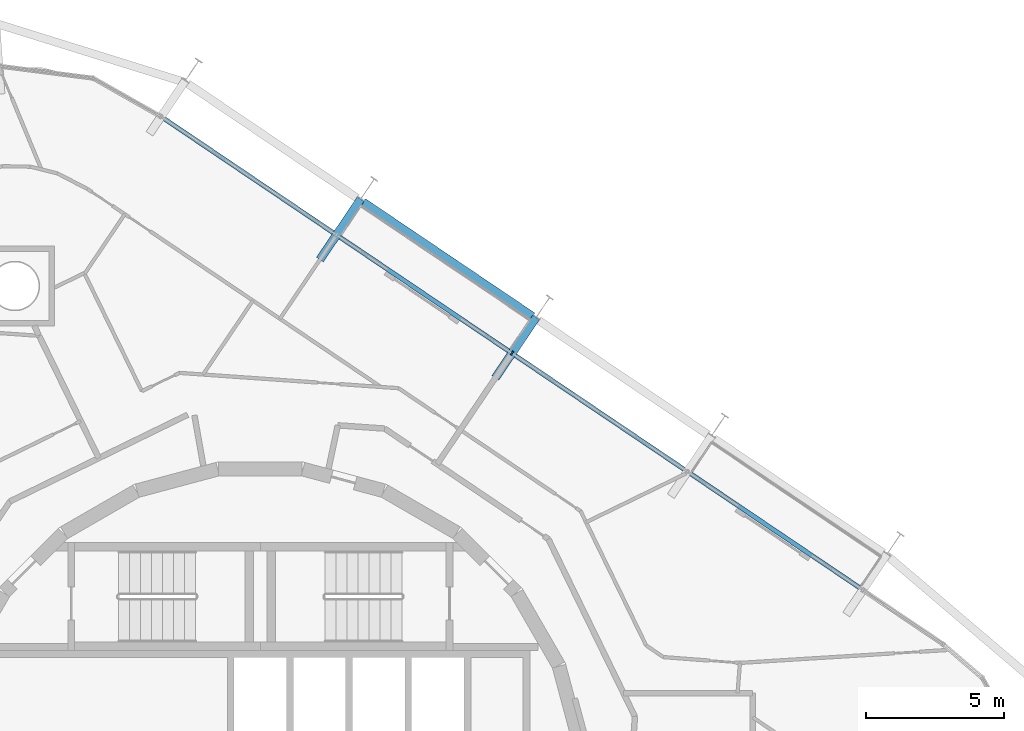
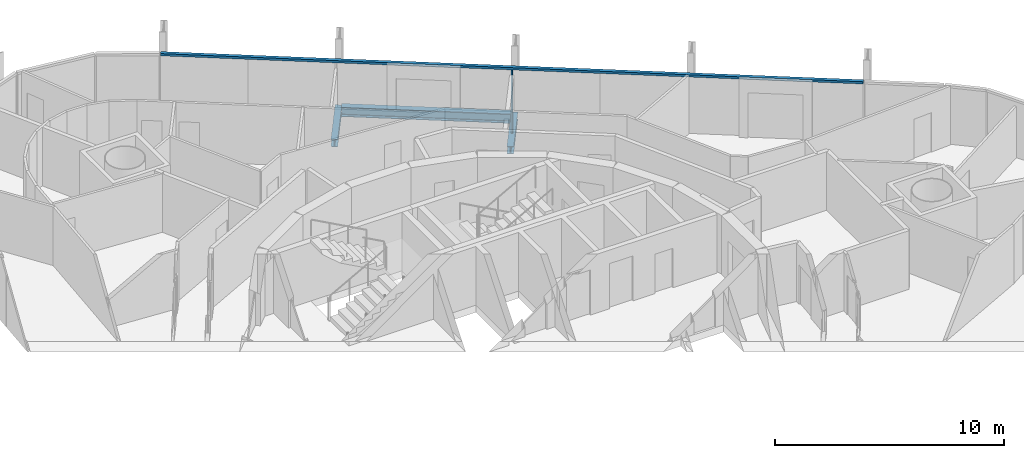
# One storey, part 7 of 18: 3 beams, 2 members, 1 element without a shape of its own.
"""IFC4 building model written with IfcOpenShell, lengths in metres."""

import ifcopenshell
import ifcopenshell.guid

model = None  # the IFC model being written
_history = None  # IfcOwnerHistory: only IFC2X3 demands one
_inside = {}  # id of a spatial element -> (the spatial element, [elements in it])
_under = {}  # id of a project, library or spatial element -> (it, [spatial elements below it])
_declared = {}  # id of a project -> (the project, [libraries it declares])
_typed = {}  # id of a type object -> (the type object, [elements of that type])
_made_of = {}  # id of a material, layer set ... -> (it, [elements and type objects made of it])


def new_model(schema):
    """Start an empty IFC model of exactly this schema.

    Asked for "IFC4X3", IfcOpenShell would pick the latest addendum, in which some entities
    have other attributes; the version numbers below select the first issue.
    IFC2X3 requires an IfcOwnerHistory on every rooted entity: one is made here for all.
    """
    global model, _history
    if schema == "IFC4X3":
        model = ifcopenshell.file(schema_version=(4, 3, 0, 0))
    else:
        model = ifcopenshell.file(schema=schema)
    _inside.clear()
    _under.clear()
    _declared.clear()
    _typed.clear()
    _made_of.clear()
    _history = None
    if model.schema == "IFC2X3":
        org = make("IfcOrganization", Name="unknown")
        user = make(
            "IfcPersonAndOrganization",
            ThePerson=make("IfcPerson", FamilyName="unknown"),
            TheOrganization=org,
        )
        app = make(
            "IfcApplication",
            ApplicationDeveloper=org,
            Version="unknown",
            ApplicationFullName="unknown",
            ApplicationIdentifier="unknown",
        )
        _history = make(
            "IfcOwnerHistory",
            OwningUser=user,
            OwningApplication=app,
            ChangeAction="ADDED",
            CreationDate=0,
        )
    return model


def make(cls, **values):
    """One entity of the class cls with the attributes given. An attribute that is None is left unset."""
    return model.create_entity(
        cls, **{name: value for name, value in values.items() if value is not None}
    )


def rooted(cls, **values):
    """An entity with a GlobalId (a new one), such as an element, a storey or a relation."""
    return make(cls, GlobalId=ifcopenshell.guid.new(), OwnerHistory=_history, **values)


def si_unit(unit_type, name, prefix=None):
    """IfcSIUnit, for example si_unit("LENGTHUNIT", "METRE", prefix="MILLI")."""
    return make("IfcSIUnit", UnitType=unit_type, Prefix=prefix, Name=name)


def assignment(units):
    """IfcUnitAssignment: the units of a project."""
    return None if units is None else make("IfcUnitAssignment", Units=units)


def point(xyz):
    """IfcCartesianPoint."""
    return None if xyz is None else make("IfcCartesianPoint", Coordinates=xyz)


def direction(xyz):
    """IfcDirection."""
    return None if xyz is None else make("IfcDirection", DirectionRatios=xyz)


def frame(location, z_axis=None, x_axis=None):
    """IfcAxis2Placement3D, a coordinate frame: its origin and axes. An axis left out is left unset."""
    return make(
        "IfcAxis2Placement3D",
        Location=point(location),
        Axis=direction(z_axis),
        RefDirection=direction(x_axis),
    )


def frame_2d(location, x_axis=None):
    """IfcAxis2Placement2D, a coordinate frame in the plane: its origin and x axis."""
    return make(
        "IfcAxis2Placement2D", Location=point(location), RefDirection=direction(x_axis)
    )


def origin():
    """The frame at (0, 0, 0) with its axes left unset."""
    return frame((0.0, 0.0, 0.0))


def origin_2d():
    """The frame at (0, 0) in the plane with its x axis left unset."""
    return frame_2d((0.0, 0.0))


def place(relative_to, where):
    """IfcLocalPlacement: puts the frame where relative to a parent placement (None: the world)."""
    return make(
        "IfcLocalPlacement", PlacementRelTo=relative_to, RelativePlacement=where
    )


def context(
    kind, dimensions, precision=None, world=None, true_north=None, identifier=None
):
    """IfcGeometricRepresentationContext, for example the 3D "Model" context."""
    return make(
        "IfcGeometricRepresentationContext",
        ContextIdentifier=identifier,
        ContextType=kind,
        CoordinateSpaceDimension=dimensions,
        Precision=precision,
        WorldCoordinateSystem=world,
        TrueNorth=true_north,
    )


def subcontext(parent, identifier, kind, view, scale=None):
    """IfcGeometricRepresentationSubContext, for example "Body" below "Model"."""
    return make(
        "IfcGeometricRepresentationSubContext",
        ContextIdentifier=identifier,
        ContextType=kind,
        ParentContext=parent,
        TargetScale=scale,
        TargetView=view,
    )


def project(units=None, contexts=None):
    """IfcProject with its units and contexts."""
    return rooted(
        "IfcProject",
        Name="project",
        RepresentationContexts=contexts,
        UnitsInContext=assignment(units),
    )


def spatial(cls, under=None, at=None, **own):
    """A site, building, storey or space (cls), placed at a placement, below another one or the project."""
    s = rooted(cls, ObjectPlacement=at, **own)
    if under is not None:
        _under.setdefault(under.id(), (under, []))[1].append(s)
    return s


def profile(cls, at=None, kind="AREA", **sizes):
    """A parametric profile (cls). Its sizes go by their IFC names, for example OverallWidth=200.0."""
    return make(cls, ProfileType=kind, Position=at, **sizes)


def rectangle(**sizes):
    """IfcRectangleProfileDef."""
    return profile("IfcRectangleProfileDef", **sizes)


def i_section(**sizes):
    """IfcIShapeProfileDef."""
    return profile("IfcIShapeProfileDef", **sizes)


def extrude(swept, where, along, depth):
    """IfcExtrudedAreaSolid: the profile swept, set in the frame where, extruded along a direction by depth."""
    return make(
        "IfcExtrudedAreaSolid",
        SweptArea=swept,
        Position=where,
        ExtrudedDirection=direction(along),
        Depth=depth,
    )


def shape(context_of_items, identifier, shape_type, items):
    """IfcShapeRepresentation: the items that make up one representation, for example the "Body"."""
    return make(
        "IfcShapeRepresentation",
        ContextOfItems=context_of_items,
        RepresentationIdentifier=identifier,
        RepresentationType=shape_type,
        Items=items,
    )


def material(Name=None, Category=None):
    """IfcMaterial."""
    return make("IfcMaterial", Name=Name, Category=Category)


def layer(
    of_material, thickness, ventilated=None, Name=None, Category=None, Priority=None
):
    """IfcMaterialLayer: one layer of a wall or slab, of a material (None: an air gap)."""
    return make(
        "IfcMaterialLayer",
        Material=of_material,
        LayerThickness=thickness,
        IsVentilated=ventilated,
        Name=Name,
        Category=Category,
        Priority=Priority,
    )


def layer_set(layers, Name=None):
    """IfcMaterialLayerSet."""
    return make("IfcMaterialLayerSet", MaterialLayers=layers, LayerSetName=Name)


def material_profile(
    of_material, cross_section, Name=None, Category=None, Priority=None
):
    """IfcMaterialProfile: a cross section and its material."""
    return make(
        "IfcMaterialProfile",
        Name=Name,
        Material=of_material,
        Profile=cross_section,
        Priority=Priority,
        Category=Category,
    )


def profile_set(profiles, Name=None, composite=None):
    """IfcMaterialProfileSet."""
    return make(
        "IfcMaterialProfileSet",
        Name=Name,
        MaterialProfiles=profiles,
        CompositeProfile=composite,
    )


def made_of(thing, what):
    """Note that an element or type object is made of a material, layer set ...; save() writes the relation."""
    if what is not None:
        _made_of.setdefault(what.id(), (what, []))[1].append(thing)
    return thing


def type_object(cls, material=None, **own):
    """A type object (cls), such as IfcWallType, which elements share."""
    return made_of(rooted(cls, **own), material)


def element(
    cls,
    number,
    at=None,
    inside=None,
    cuts=None,
    type_object=None,
    material=None,
    context=None,
    identifier="Body",
    shape_type=None,
    held_by="IfcProductDefinitionShape",
    body=None,
    shapes=None,
    **own,
):
    """One element of the class cls, such as IfcWall. Its Tag is "e" and its number.

    at: its placement. inside: the storey or other place that contains it. cuts: it is an
    opening in that element (IfcRelVoidsElement). A single representation is given by context,
    identifier, shape_type and body (its items); several are given by shapes. held_by: the class
    of the entity that holds the representations. save() writes the other relations.
    """
    e = rooted(cls, Tag="e%d" % number, ObjectPlacement=at, **own)
    if body is not None:
        shapes = [shape(context, identifier, shape_type, body)]
    if shapes is not None:
        e.Representation = make(held_by, Representations=shapes)
    if inside is not None:
        _inside.setdefault(inside.id(), (inside, []))[1].append(e)
    if cuts is not None:
        rooted(
            "IfcRelVoidsElement", RelatingBuildingElement=cuts, RelatedOpeningElement=e
        )
    if type_object is not None:
        _typed.setdefault(type_object.id(), (type_object, []))[1].append(e)
    return made_of(e, material)


def aggregate(whole, parts):
    """IfcRelAggregates: a whole, such as a stair, and the parts it consists of."""
    return rooted("IfcRelAggregates", RelatingObject=whole, RelatedObjects=parts)


def save(model, path):
    """Write the relations noted so far, then the file.

    IfcRelAggregates (storeys below a building ...), IfcRelContainedInSpatialStructure (elements
    in a storey), IfcRelDefinesByType, IfcRelAssociatesMaterial and IfcRelDeclares: one each for
    every whole, place, type object, material and project.
    """
    for whole, parts in _under.values():
        aggregate(whole, parts)
    for where, things in _inside.values():
        rooted(
            "IfcRelContainedInSpatialStructure",
            RelatedElements=things,
            RelatingStructure=where,
        )
    for kind, things in _typed.values():
        rooted("IfcRelDefinesByType", RelatedObjects=things, RelatingType=kind)
    for what, things in _made_of.values():
        rooted("IfcRelAssociatesMaterial", RelatedObjects=things, RelatingMaterial=what)
    for by, libraries in _declared.values():
        rooted("IfcRelDeclares", RelatingContext=by, RelatedDefinitions=libraries)
    model.write(path)


model = new_model("IFC4")

# Units and contexts
model_context = context("Model", 3, precision=1e-05, world=origin(), true_north=direction((0.0, 1.0)))
body_context = subcontext(model_context, "Body", "Model", "MODEL_VIEW")
ifc_project = project(units=[si_unit("LENGTHUNIT", "METRE"), si_unit("AREAUNIT", "SQUARE_METRE"), si_unit("VOLUMEUNIT", "CUBIC_METRE"), si_unit("PLANEANGLEUNIT", "RADIAN"), si_unit("MASSUNIT", "GRAM", prefix="KILO")], contexts=[model_context])

# Site, building, storey
site_placement = place(None, origin())
site = spatial("IfcSite", under=ifc_project, at=site_placement, CompositionType="ELEMENT")
building_placement = place(site_placement, origin())
building = spatial("IfcBuilding", under=site, at=building_placement, Name="Spindle Arch Residences", CompositionType="ELEMENT")
storey_placement = place(building_placement, frame((0.0, 0.0, 198.89990234375)))
storey = spatial("IfcBuildingStorey", under=building, at=storey_placement, Name="L50", CompositionType="ELEMENT", Elevation=198.89990234375)

# Curtain wall, members
ifc_material_1 = material(Name="Aluminium bronze unitised frame with tinted glass", Category="aluminium")
ifc_layer = layer(ifc_material_1, 0.159912109375)
ifc_layer_set = layer_set([ifc_layer], Name="CW-C typical residential unitised wall")
curtain_wall_type = type_object("IfcCurtainWallType", Name="CW-C typical residential unitised wall", PredefinedType="NOTDEFINED", material=ifc_layer_set)
curtain_wall_placement = place(storey_placement, origin())
curtain_wall = element("IfcCurtainWall", 1, at=curtain_wall_placement, inside=storey, type_object=curtain_wall_type, Name="CW-C L50 run 2", PredefinedType="NOTDEFINED")
ifc_material_2 = material(Name="Aluminium bronze anodised mullion", Category="aluminium")
ifc_material_profile_1 = material_profile(ifc_material_2, rectangle(XDim=0.159912109375, YDim=0.06005859375, at=origin_2d()), Name="MU 60x160")
ifc_profile_set_1 = profile_set([ifc_material_profile_1], Name="Aluminium bronze anodised mullion")
member_type_1 = type_object("IfcMemberType", Name="Bronze mullion 60x160", PredefinedType="MULLION", material=ifc_profile_set_1)
member_1_placement = place(storey_placement, frame((9.148193359375, 15.85595703125, -0.3798828125), z_axis=(0.0, 0.0, 1.0), x_axis=(-0.559192903471, -0.829037572555, 0.0)))
member_1 = element("IfcMember", 2, at=member_1_placement, type_object=member_type_1, Name="CW-C mullion 07", PredefinedType="MULLION", context=body_context, shape_type="SweptSolid", body=[
    extrude(rectangle(XDim=0.159912109375, YDim=0.06005859375, at=origin_2d()), origin(), (0.0, 0.0, 1.0), 3.3798828125),
])
ifc_material_3 = material(Name="Aluminium bronze anodised transom", Category="aluminium")
ifc_material_profile_2 = material_profile(ifc_material_3, rectangle(XDim=0.159912109375, YDim=0.1201171875, at=origin_2d()), Name="TR 120x160")
ifc_profile_set_2 = profile_set([ifc_material_profile_2], Name="Aluminium bronze anodised transom")
member_type_2 = type_object("IfcMemberType", Name="Bronze transom 120x160", PredefinedType="USERDEFINED", material=ifc_profile_set_2)
member_2_placement = place(storey_placement, frame((21.880126953125, 7.26806640625, 3.06005859375), z_axis=(-0.829038450691, 0.559191601578, 0.0), x_axis=(-0.559191601578, -0.829038450691, 0.0)))
member_2 = element("IfcMember", 3, at=member_2_placement, type_object=member_type_2, Name="CW-C transom 00", ObjectType="TRANSOM", PredefinedType="USERDEFINED", context=body_context, shape_type="SweptSolid", body=[
    extrude(rectangle(XDim=0.159912109375, YDim=0.1201171875, at=origin_2d()), origin(), (0.0, 0.0, 1.0), 30.71484375),
])
aggregate(curtain_wall, [member_2, member_1])

# Beams
ifc_material_4 = material(Name="Steel S460ML, intumescent coating R 120", Category="steel")
ifc_material_profile_3 = material_profile(ifc_material_4, i_section(OverallWidth=0.300048828125, OverallDepth=0.5, WebThickness=0.014404296875, FlangeThickness=0.028076171875, FilletRadius=0.027099609375, at=origin_2d()), Name="HEB 500")
ifc_profile_set_3 = profile_set([ifc_material_profile_3], Name="Steel S460ML, intumescent coating R 120")
beam_type_1 = type_object("IfcBeamType", Name="Exoskeleton edge beam HEB 500", PredefinedType="BEAM", material=ifc_profile_set_3)
beam_placement = place(storey_placement, frame((9.89599609375, 17.197021484375, -0.6298828125), z_axis=(-0.829031763913, 0.55920151504, 0.0), x_axis=(-0.55920151504, -0.829031763913, 0.0)))
element("IfcBeam", 4, at=beam_placement, inside=storey, type_object=beam_type_1, Name="Exoskeleton edge beam 8", PredefinedType="BEAM", context=body_context, shape_type="SweptSolid", body=[
    extrude(i_section(OverallWidth=0.300048828125, OverallDepth=0.5, WebThickness=0.014404296875, FlangeThickness=0.028076171875, FilletRadius=0.027099609375, at=origin_2d()), origin(), (0.0, 0.0, 1.0), 7.433837890625),
])
ifc_material_5 = material(Name="Steel S460ML, intumescent coating R 120", Category="steel")
ifc_material_profile_4 = material_profile(ifc_material_5, i_section(OverallWidth=0.300048828125, OverallDepth=0.389892578125, WebThickness=0.010986328125, FlangeThickness=0.01904296875, FilletRadius=0.027099609375, at=origin_2d()), Name="HEA 400")
ifc_profile_set_4 = profile_set([ifc_material_profile_4], Name="Steel S460ML, intumescent coating R 120")
beam_type_2 = type_object("IfcBeamType", Name="Floor outrigger HEA 400", PredefinedType="BEAM", material=ifc_profile_set_4)
for number, where, z_axis, x_axis, name in (
    (5, (10.026123046875, 17.157470703125, -0.574951171875), (-0.559241810757, -0.829004582075, 0.0), (0.829004582075, -0.559241810757, 0.0), "Floor outrigger 8"),
    (6, (3.647705078125, 21.459716796875, -0.574951171875), (-0.559135777436, -0.829076101688, 0.0), (0.829076101688, -0.559135777436, 0.0), "Floor outrigger 9"),
):
    element("IfcBeam", number, at=place(storey_placement, frame(where, z_axis=z_axis, x_axis=x_axis)), inside=storey, type_object=beam_type_2, Name=name, PredefinedType="BEAM", context=body_context, shape_type="SweptSolid", body=[
        extrude(i_section(OverallWidth=0.300048828125, OverallDepth=0.389892578125, WebThickness=0.010986328125, FlangeThickness=0.01904296875, FilletRadius=0.027099609375, at=origin_2d()), origin(), (0.0, 0.0, 1.0), 2.64990234375),
    ])

save(model, "model.ifc")
